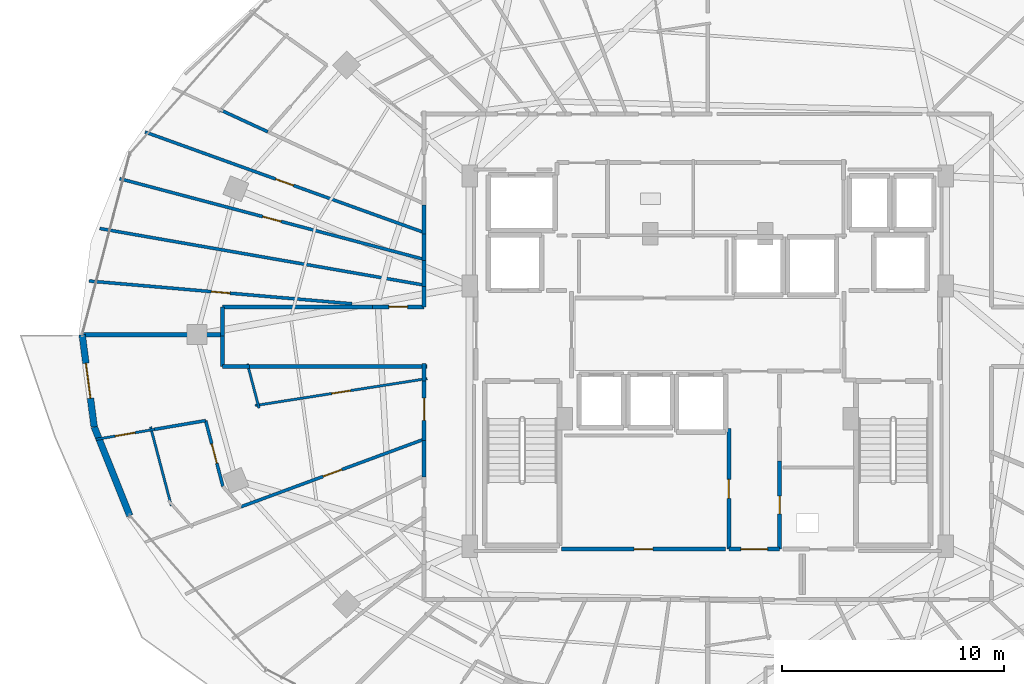
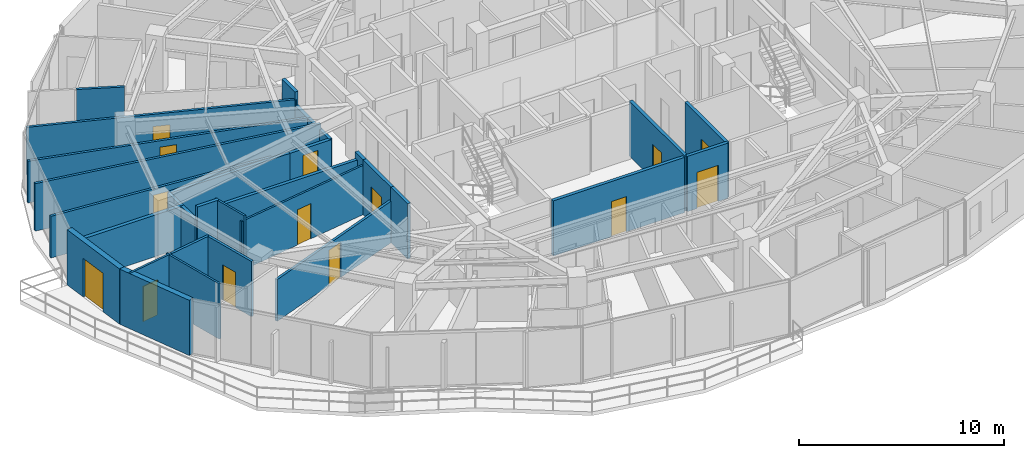
# One storey, part 24 of 32: 32 walls, 14 doors, 14 openings.
"""IFC4 building model written with IfcOpenShell, lengths in metres."""

from ifc_helpers import new_model, si_unit, direction, frame, frame_2d, origin, place, context, subcontext, project, spatial, rectangle, extrude, material, layer, layer_set, type_object, element, fill, save


model = new_model("IFC4")

# Units and contexts
model_context = context("Model", 3, precision=1e-05, world=origin(), true_north=direction((0.0, 1.0)))
body_context = subcontext(model_context, "Body", "Model", "MODEL_VIEW")
ifc_project = project(units=[si_unit("LENGTHUNIT", "METRE"), si_unit("AREAUNIT", "SQUARE_METRE"), si_unit("VOLUMEUNIT", "CUBIC_METRE"), si_unit("PLANEANGLEUNIT", "RADIAN"), si_unit("MASSUNIT", "GRAM", prefix="KILO")], contexts=[model_context])

# Site, building, storey
site_placement = place(None, origin())
site = spatial("IfcSite", under=ifc_project, at=site_placement, CompositionType="ELEMENT")
building_placement = place(site_placement, origin())
building = spatial("IfcBuilding", under=site, at=building_placement, Name="Vorneva Point Tower", CompositionType="ELEMENT")
storey_placement = place(building_placement, frame((0.0, 0.0, 207.199951171875)))
storey = spatial("IfcBuildingStorey", under=building, at=storey_placement, Name="L56", CompositionType="ELEMENT", Elevation=207.199951171875)

# Wall, opening, door
ifc_material_1 = material(Name="Precast concrete B50 (C40/50)", Category="concrete")
ifc_layer_1 = layer(ifc_material_1, 0.300048828125)
ifc_layer_set_1 = layer_set([ifc_layer_1], Name="Precast concrete B50 (C40/50)")
wall_type_1 = type_object("IfcWallType", Name="WL-EXT-300", PredefinedType="STANDARD", material=ifc_layer_set_1)
wall_1_placement = place(storey_placement, frame((9.77001953125, 26.0, 0.0), z_axis=(0.0, 0.0, 1.0), x_axis=(0.129147853268, -0.991625348605, 0.0)))
wall_1 = element("IfcWall", 1, at=wall_1_placement, inside=storey, type_object=wall_type_1, Name="L56 Pale-Metal Facade Spandrel Wall 09.1", PredefinedType="STANDARD", context=body_context, shape_type="SweptSolid", body=[
    extrude(rectangle(XDim=4.200439453125, YDim=0.300048828125, at=frame_2d((2.10009765625, 0.0))), origin(), (0.0, 0.0, 1.0), 3.2900390625),
])
opening_1_placement = place(wall_1_placement, frame((1.30029296875, 0.0, 0.0)))
opening_1 = element("IfcOpeningElement", 2, at=opening_1_placement, cuts=wall_1, Name="Opening BD-01", PredefinedType="OPENING", context=body_context, shape_type="SweptSolid", body=[
    extrude(rectangle(XDim=1.60009765625, YDim=2.300048828125, at=frame_2d((0.800048828125, 1.14990234375))), frame((0.0, 0.1650390625, 0.0), z_axis=(0.0, -1.0, 0.0), x_axis=(1.0, 0.0, 0.0)), (0.0, 0.0, 1.0), 0.329833984375),
])
ifc_material_2 = material(Name="Pale anodised aluminium", Category="aluminium")
door_type_1 = type_object("IfcDoorType", Name="DR-BAL-1600", OperationType="SLIDING_TO_LEFT", PredefinedType="DOOR", material=ifc_material_2)
door_1_placement = place(opening_1_placement, origin())
door_1 = element("IfcDoor", 3, at=door_1_placement, inside=storey, type_object=door_type_1, Name="L56 Balcony Terrace Access Door 09", OperationType="SLIDING_TO_LEFT", OverallHeight=2.300048828125, OverallWidth=1.60009765625, PredefinedType="DOOR", context=body_context, shape_type="SweptSolid", body=[
    extrude(rectangle(XDim=1.60009765625, YDim=2.300048828125, at=frame_2d((0.800048828125, 1.14990234375))), frame((0.0, 0.02490234375, 0.0), z_axis=(0.0, -1.0, 0.0), x_axis=(1.0, 0.0, 0.0)), (0.0, 0.0, 1.0), 0.050048828125),
])
fill(opening_1, door_1)

# Wall
wall_2_placement = place(storey_placement, frame((10.3125, 21.834716796875, 0.0), z_axis=(0.0, 0.0, 1.0), x_axis=(0.372268409848, -0.928125116043, 0.0)))
element("IfcWall", 4, at=wall_2_placement, inside=storey, type_object=wall_type_1, Name="L56 Pale-Metal Facade Spandrel Wall 09.2", PredefinedType="STANDARD", context=body_context, shape_type="SweptSolid", body=[
    extrude(rectangle(XDim=4.315185546875, YDim=0.300048828125, at=frame_2d((2.15771484375, 0.0))), origin(), (0.0, 0.0, 1.0), 3.2900390625),
])

# Wall, opening, door
ifc_material_3 = material(Name="Fire-rated acoustic gypsum stud partition", Category="gypsum")
ifc_layer_2 = layer(ifc_material_3, 0.110107421875)
ifc_layer_set_2 = layer_set([ifc_layer_2], Name="Fire-rated acoustic gypsum stud partition")
wall_type_2 = type_object("IfcWallType", Name="WL-PART-110", PredefinedType="PARTITIONING", material=ifc_layer_set_2)
wall_3_placement = place(storey_placement, frame((25.33837890625, 24.0146484375, 0.0), z_axis=(0.0, 0.0, 1.0), x_axis=(-0.987940229144, -0.154835731144, 0.0)))
wall_3 = element("IfcWall", 5, at=wall_3_placement, inside=storey, type_object=wall_type_2, Name="L56 Interior Partition 099", PredefinedType="PARTITIONING", context=body_context, shape_type="SweptSolid", body=[
    extrude(rectangle(XDim=7.85546875, YDim=0.110107421875, at=frame_2d((3.927734375, 0.0))), origin(), (0.0, 0.0, 1.0), 2.93603515625),
])
opening_2_placement = place(wall_3_placement, frame((3.502685546875, 0.0, 0.0)))
opening_2 = element("IfcOpeningElement", 6, at=opening_2_placement, cuts=wall_3, Name="Opening ID-02", PredefinedType="OPENING", context=body_context, shape_type="SweptSolid", body=[
    extrude(rectangle(XDim=0.85009765625, YDim=2.10009765625, at=frame_2d((0.425048828125, 1.050048828125))), frame((0.0, 0.06982421875, 0.0), z_axis=(0.0, -1.0, 0.0), x_axis=(1.0, 0.0, 0.0)), (0.0, 0.0, 1.0), 0.139892578125),
])
ifc_material_4 = material(Name="Engineered oak fire-rated door leaf", Category="wood")
door_type_2 = type_object("IfcDoorType", Name="DR-BATH-850", OperationType="NOTDEFINED", PredefinedType="DOOR", material=ifc_material_4)
door_2_placement = place(opening_2_placement, origin())
door_2 = element("IfcDoor", 7, at=door_2_placement, inside=storey, type_object=door_type_2, Name="L56 Door Living and Dining Room L56-03 / Bathroom L56-03", OperationType="SINGLE_SWING_LEFT", OverallHeight=2.10009765625, OverallWidth=0.85009765625, PredefinedType="DOOR", context=body_context, shape_type="SweptSolid", body=[
    extrude(rectangle(XDim=0.85009765625, YDim=2.10009765625, at=frame_2d((0.425048828125, 1.050048828125))), frame((0.0, 0.02490234375, 0.0), z_axis=(0.0, -1.0, 0.0), x_axis=(1.0, 0.0, 0.0)), (0.0, 0.0, 1.0), 0.050048828125),
])
fill(opening_2, door_2)

# Wall
wall_4_placement = place(storey_placement, frame((17.751708984375, 22.6845703125, 0.0), z_axis=(0.0, 0.0, 1.0), x_axis=(-0.254429402158, 0.967091350038, 0.0)))
element("IfcWall", 8, at=wall_4_placement, inside=storey, type_object=wall_type_2, Name="L56 Interior Partition 100", PredefinedType="PARTITIONING", context=body_context, shape_type="SweptSolid", body=[
    extrude(rectangle(XDim=2.06884765625, YDim=0.110107421875, at=frame_2d((1.034423828125, 0.0))), origin(), (0.0, 0.0, 1.0), 3.2900390625),
])

# Wall, opening, door
wall_5_placement = place(storey_placement, frame((10.39404296875, 21.271484375, 0.0), z_axis=(0.0, 0.0, 1.0), x_axis=(0.985656128296, 0.168766100722, 0.0)))
wall_5 = element("IfcWall", 9, at=wall_5_placement, inside=storey, type_object=wall_type_2, Name="L56 Interior Partition 101", PredefinedType="PARTITIONING", context=body_context, shape_type="SweptSolid", body=[
    extrude(rectangle(XDim=2.67333984375, YDim=0.110107421875, at=frame_2d((1.336669921875, 0.0))), origin(), (0.0, 0.0, 1.0), 3.2900390625),
])
opening_3_placement = place(wall_5_placement, frame((0.88671875, 0.0, 0.0)))
opening_3 = element("IfcOpeningElement", 10, at=opening_3_placement, cuts=wall_5, Name="Opening ID-01", PredefinedType="OPENING", context=body_context, shape_type="SweptSolid", body=[
    extrude(rectangle(XDim=0.89990234375, YDim=2.10009765625, at=frame_2d((0.449951171875, 1.050048828125))), frame((0.0, 0.06982421875, 0.0), z_axis=(0.0, -1.0, 0.0), x_axis=(1.0, 0.0, 0.0)), (0.0, 0.0, 1.0), 0.139892578125),
])
door_type_3 = type_object("IfcDoorType", Name="DR-ROOM-900", OperationType="NOTDEFINED", PredefinedType="DOOR", material=ifc_material_4)
door_3_placement = place(opening_3_placement, origin())
door_3 = element("IfcDoor", 11, at=door_3_placement, inside=storey, type_object=door_type_3, Name="L56 Door Living and Dining Room L56-03 / Kitchen L56-03", OperationType="SINGLE_SWING_RIGHT", OverallHeight=2.10009765625, OverallWidth=0.89990234375, PredefinedType="DOOR", context=body_context, shape_type="SweptSolid", body=[
    extrude(rectangle(XDim=0.89990234375, YDim=2.10009765625, at=frame_2d((0.449951171875, 1.050048828125))), frame((0.0, 0.02490234375, 0.0), z_axis=(0.0, -1.0, 0.0), x_axis=(1.0, 0.0, 0.0)), (0.0, 0.0, 1.0), 0.050048828125),
])
fill(opening_3, door_3)

# Walls
wall_6_placement = place(storey_placement, frame((13.79248046875, 18.2705078125, 0.0), z_axis=(0.0, 0.0, 1.0), x_axis=(-0.254271540361, 0.967132867688, 0.0)))
element("IfcWall", 12, at=wall_6_placement, inside=storey, type_object=wall_type_2, Name="L56 Interior Partition 107", PredefinedType="PARTITIONING", context=body_context, shape_type="SweptSolid", body=[
    extrude(rectangle(XDim=3.68505859375, YDim=0.110107421875, at=frame_2d((1.842529296875, 0.0))), origin(), (0.0, 0.0, 1.0), 3.2900390625),
])
ifc_layer_3 = layer(ifc_material_3, 0.139892578125)
ifc_layer_set_3 = layer_set([ifc_layer_3], Name="Fire-rated acoustic gypsum stud partition")
wall_type_3 = type_object("IfcWallType", Name="WL-PART-140", PredefinedType="PARTITIONING", material=ifc_layer_set_3)
wall_7_placement = place(storey_placement, frame((18.152099609375, 35.14990234375, 0.0), z_axis=(0.0, 0.0, 1.0), x_axis=(-0.908192094718, 0.418553603607, 0.0)))
element("IfcWall", 13, at=wall_7_placement, inside=storey, type_object=wall_type_3, Name="L56 Interior Partition 089", PredefinedType="PARTITIONING", context=body_context, shape_type="SweptSolid", body=[
    extrude(rectangle(XDim=2.363037109375, YDim=0.139892578125, at=frame_2d((1.181640625, 0.0))), origin(), (0.0, 0.0, 1.0), 3.2900390625),
])

# Wall, opening, door
wall_8_placement = place(storey_placement, frame((12.60888671875, 35.14111328125, 0.0), z_axis=(0.0, 0.0, 1.0), x_axis=(0.940877411069, -0.338747246985, 0.0)))
wall_8 = element("IfcWall", 14, at=wall_8_placement, inside=storey, type_object=wall_type_3, Name="L56 Interior Partition 094", PredefinedType="PARTITIONING", context=body_context, shape_type="SweptSolid", body=[
    extrude(rectangle(XDim=13.38232421875, YDim=0.139892578125, at=frame_2d((6.691162109375, 0.0))), origin(), (0.0, 0.0, 1.0), 2.823974609375),
])
opening_4_placement = place(wall_8_placement, frame((6.26611328125, 0.0, 0.0)))
opening_4 = element("IfcOpeningElement", 15, at=opening_4_placement, cuts=wall_8, Name="Opening ID-02", PredefinedType="OPENING", context=body_context, shape_type="SweptSolid", body=[
    extrude(rectangle(XDim=0.85009765625, YDim=2.10009765625, at=frame_2d((0.425048828125, 1.050048828125))), frame((0.0, 0.0849609375, 0.0), z_axis=(0.0, -1.0, 0.0), x_axis=(1.0, 0.0, 0.0)), (0.0, 0.0, 1.0), 0.169677734375),
])
door_4_placement = place(opening_4_placement, origin())
door_4 = element("IfcDoor", 16, at=door_4_placement, inside=storey, type_object=door_type_2, Name="L56 Access Door Master Bedroom L56-02.1", OperationType="SINGLE_SWING_LEFT", OverallHeight=2.10009765625, OverallWidth=0.85009765625, PredefinedType="DOOR", context=body_context, shape_type="SweptSolid", body=[
    extrude(rectangle(XDim=0.85009765625, YDim=2.10009765625, at=frame_2d((0.425048828125, 1.050048828125))), frame((0.0, 0.02490234375, 0.0), z_axis=(0.0, -1.0, 0.0), x_axis=(1.0, 0.0, 0.0)), (0.0, 0.0, 1.0), 0.050048828125),
])
fill(opening_4, door_4)

wall_9_placement = place(storey_placement, frame((11.465087890625, 33.035888671875, 0.0), z_axis=(0.0, 0.0, 1.0), x_axis=(0.966598137313, -0.256296782934, 0.0)))
wall_9 = element("IfcWall", 17, at=wall_9_placement, inside=storey, type_object=wall_type_3, Name="L56 Interior Partition 095", PredefinedType="PARTITIONING", context=body_context, shape_type="SweptSolid", body=[
    extrude(rectangle(XDim=14.20947265625, YDim=0.139892578125, at=frame_2d((7.104736328125, 0.0))), origin(), (0.0, 0.0, 1.0), 2.48193359375),
])
opening_5_placement = place(wall_9_placement, frame((6.6796875, 0.0, 0.0)))
opening_5 = element("IfcOpeningElement", 18, at=opening_5_placement, cuts=wall_9, Name="Opening ID-02", PredefinedType="OPENING", context=body_context, shape_type="SweptSolid", body=[
    extrude(rectangle(XDim=0.85009765625, YDim=2.10009765625, at=frame_2d((0.425048828125, 1.050048828125))), frame((0.0, 0.0849609375, 0.0), z_axis=(0.0, -1.0, 0.0), x_axis=(1.0, 0.0, 0.0)), (0.0, 0.0, 1.0), 0.169677734375),
])
door_5_placement = place(opening_5_placement, origin())
door_5 = element("IfcDoor", 19, at=door_5_placement, inside=storey, type_object=door_type_2, Name="L56 Access Door Bedroom L56-02.2", OperationType="SINGLE_SWING_RIGHT", OverallHeight=2.10009765625, OverallWidth=0.85009765625, PredefinedType="DOOR", context=body_context, shape_type="SweptSolid", body=[
    extrude(rectangle(XDim=0.85009765625, YDim=2.10009765625, at=frame_2d((0.425048828125, 1.050048828125))), frame((0.0, 0.02490234375, 0.0), z_axis=(0.0, -1.0, 0.0), x_axis=(1.0, 0.0, 0.0)), (0.0, 0.0, 1.0), 0.050048828125),
])
fill(opening_5, door_5)

# Wall
wall_10_placement = place(storey_placement, frame((10.56494140625, 30.7880859375, 0.0), z_axis=(0.0, 0.0, 1.0), x_axis=(0.985109541297, -0.171927867563, 0.0)))
element("IfcWall", 20, at=wall_10_placement, inside=storey, type_object=wall_type_3, Name="L56 Interior Partition 096", PredefinedType="PARTITIONING", context=body_context, shape_type="SweptSolid", body=[
    extrude(rectangle(XDim=14.856201171875, YDim=0.139892578125, at=frame_2d((7.42822265625, 0.0))), origin(), (0.0, 0.0, 1.0), 2.823974609375),
])

# Wall, opening, door
wall_11_placement = place(storey_placement, frame((10.0859375, 28.41796875, 0.0), z_axis=(0.0, 0.0, 1.0), x_axis=(0.996267232338, -0.08632266081, 0.0)))
wall_11 = element("IfcWall", 21, at=wall_11_placement, inside=storey, type_object=wall_type_3, Name="L56 Interior Partition 097", PredefinedType="PARTITIONING", context=body_context, shape_type="SweptSolid", body=[
    extrude(rectangle(XDim=11.90966796875, YDim=0.139892578125, at=frame_2d((5.954833984375, 0.0))), origin(), (0.0, 0.0, 1.0), 2.48193359375),
])
opening_6_placement = place(wall_11_placement, frame((5.52978515625, 0.0, 0.0)))
opening_6 = element("IfcOpeningElement", 22, at=opening_6_placement, cuts=wall_11, Name="Opening ID-02", PredefinedType="OPENING", context=body_context, shape_type="SweptSolid", body=[
    extrude(rectangle(XDim=0.85009765625, YDim=2.10009765625, at=frame_2d((0.425048828125, 1.050048828125))), frame((0.0, 0.0849609375, 0.0), z_axis=(0.0, -1.0, 0.0), x_axis=(1.0, 0.0, 0.0)), (0.0, 0.0, 1.0), 0.169677734375),
])
door_6_placement = place(opening_6_placement, origin())
door_6 = element("IfcDoor", 23, at=door_6_placement, inside=storey, type_object=door_type_2, Name="L56 Access Door Bedroom L56-02.4", OperationType="SINGLE_SWING_LEFT", OverallHeight=2.10009765625, OverallWidth=0.85009765625, PredefinedType="DOOR", context=body_context, shape_type="SweptSolid", body=[
    extrude(rectangle(XDim=0.85009765625, YDim=2.10009765625, at=frame_2d((0.425048828125, 1.050048828125))), frame((0.0, 0.02490234375, 0.0), z_axis=(0.0, -1.0, 0.0), x_axis=(1.0, 0.0, 0.0)), (0.0, 0.0, 1.0), 0.050048828125),
])
fill(opening_6, door_6)

wall_12_placement = place(storey_placement, frame((15.341064453125, 22.118896484375, 0.0), z_axis=(0.0, 0.0, 1.0), x_axis=(0.254462015144, -0.967082769389, 0.0)))
wall_12 = element("IfcWall", 24, at=wall_12_placement, inside=storey, type_object=wall_type_3, Name="L56 Interior Partition 102", PredefinedType="PARTITIONING", context=body_context, shape_type="SweptSolid", body=[
    extrude(rectangle(XDim=3.072998046875, YDim=0.139892578125, at=frame_2d((1.53662109375, 0.0))), origin(), (0.0, 0.0, 1.0), 3.2900390625),
])
opening_7_placement = place(wall_12_placement, frame((1.086669921875, 0.0, 0.0)))
opening_7 = element("IfcOpeningElement", 25, at=opening_7_placement, cuts=wall_12, Name="Opening ID-01", PredefinedType="OPENING", context=body_context, shape_type="SweptSolid", body=[
    extrude(rectangle(XDim=0.89990234375, YDim=2.10009765625, at=frame_2d((0.449951171875, 1.050048828125))), frame((0.0, 0.0849609375, 0.0), z_axis=(0.0, -1.0, 0.0), x_axis=(1.0, 0.0, 0.0)), (0.0, 0.0, 1.0), 0.169677734375),
])
door_7_placement = place(opening_7_placement, origin())
door_7 = element("IfcDoor", 26, at=door_7_placement, inside=storey, type_object=door_type_3, Name="L56 Door Living and Dining Room L56-03 / Study Room L56-03", OperationType="SINGLE_SWING_LEFT", OverallHeight=2.10009765625, OverallWidth=0.89990234375, PredefinedType="DOOR", context=body_context, shape_type="SweptSolid", body=[
    extrude(rectangle(XDim=0.89990234375, YDim=2.10009765625, at=frame_2d((0.449951171875, 1.050048828125))), frame((0.0, 0.02490234375, 0.0), z_axis=(0.0, -1.0, 0.0), x_axis=(1.0, 0.0, 0.0)), (0.0, 0.0, 1.0), 0.050048828125),
])
fill(opening_7, door_7)

# Wall
wall_13_placement = place(storey_placement, frame((13.029052734375, 21.72265625, 0.0), z_axis=(0.0, 0.0, 1.0), x_axis=(0.985629682191, 0.16892048302, 0.0)))
element("IfcWall", 27, at=wall_13_placement, inside=storey, type_object=wall_type_3, Name="L56 Interior Partition 104", PredefinedType="PARTITIONING", context=body_context, shape_type="SweptSolid", body=[
    extrude(rectangle(XDim=2.345703125, YDim=0.139892578125, at=frame_2d((1.1728515625, 0.0))), origin(), (0.0, 0.0, 1.0), 3.2900390625),
])

# Wall, opening, door
wall_14_placement = place(storey_placement, frame((16.93408203125, 18.22802734375, 0.0), z_axis=(0.0, 0.0, 1.0), x_axis=(0.938168899516, 0.34617786755, 0.0)))
wall_14 = element("IfcWall", 28, at=wall_14_placement, inside=storey, type_object=wall_type_3, Name="L56 Interior Partition 105", PredefinedType="PARTITIONING", context=body_context, shape_type="SweptSolid", body=[
    extrude(rectangle(XDim=8.810546875, YDim=0.139892578125, at=frame_2d((4.4052734375, 0.0))), origin(), (0.0, 0.0, 1.0), 2.48193359375),
])
opening_8_placement = place(wall_14_placement, frame((3.955322265625, 0.0, 0.0)))
opening_8 = element("IfcOpeningElement", 29, at=opening_8_placement, cuts=wall_14, Name="Opening ID-01", PredefinedType="OPENING", context=body_context, shape_type="SweptSolid", body=[
    extrude(rectangle(XDim=0.89990234375, YDim=2.10009765625, at=frame_2d((0.449951171875, 1.050048828125))), frame((0.0, 0.0849609375, 0.0), z_axis=(0.0, -1.0, 0.0), x_axis=(1.0, 0.0, 0.0)), (0.0, 0.0, 1.0), 0.169677734375),
])
door_8_placement = place(opening_8_placement, origin())
door_8 = element("IfcDoor", 30, at=door_8_placement, inside=storey, type_object=door_type_3, Name="L56 Door Living and Dining Room L56-03 / Master Bedroom L56-03.1", OperationType="SINGLE_SWING_RIGHT", OverallHeight=2.10009765625, OverallWidth=0.89990234375, PredefinedType="DOOR", context=body_context, shape_type="SweptSolid", body=[
    extrude(rectangle(XDim=0.89990234375, YDim=2.10009765625, at=frame_2d((0.449951171875, 1.050048828125))), frame((0.0, 0.02490234375, 0.0), z_axis=(0.0, -1.0, 0.0), x_axis=(1.0, 0.0, 0.0)), (0.0, 0.0, 1.0), 0.050048828125),
])
fill(opening_8, door_8)

ifc_material_5 = material(Name="Autoclaved aerated concrete blockwork", Category="masonry")
ifc_layer_4 = layer(ifc_material_5, 0.179931640625)
ifc_layer_set_4 = layer_set([ifc_layer_4], Name="Autoclaved aerated concrete blockwork")
wall_type_4 = type_object("IfcWallType", Name="WL-PART-180", PredefinedType="PARTITIONING", material=ifc_layer_set_4)
wall_15_placement = place(storey_placement, frame((41.25, 16.320068359375, 0.0), z_axis=(0.0, 0.0, 1.0), x_axis=(0.0, 1.0, 0.0)))
wall_15 = element("IfcWall", 31, at=wall_15_placement, inside=storey, type_object=wall_type_4, Name="L56 Interior Partition 013", PredefinedType="PARTITIONING", context=body_context, shape_type="SweptSolid", body=[
    extrude(rectangle(XDim=3.98486328125, YDim=0.179931640625, at=frame_2d((1.992431640625, 0.0))), origin(), (0.0, 0.0, 1.0), 3.2900390625),
])
opening_9_placement = place(wall_15_placement, frame((1.592529296875, 0.0, 0.0)))
opening_9 = element("IfcOpeningElement", 32, at=opening_9_placement, cuts=wall_15, Name="Opening RD-01", PredefinedType="OPENING", context=body_context, shape_type="SweptSolid", body=[
    extrude(rectangle(XDim=0.800048828125, YDim=2.050048828125, at=frame_2d((0.39990234375, 1.02490234375))), frame((0.0, 0.10498046875, 0.0), z_axis=(0.0, -1.0, 0.0), x_axis=(1.0, 0.0, 0.0)), (0.0, 0.0, 1.0), 0.209716796875),
])
ifc_material_6 = material(Name="Fire-rated powder-coated steel", Category="steel")
door_type_4 = type_object("IfcDoorType", Name="DR-RSR-800", OperationType="SINGLE_SWING_LEFT", PredefinedType="DOOR", material=ifc_material_6)
door_9_placement = place(opening_9_placement, origin())
door_9 = element("IfcDoor", 33, at=door_9_placement, inside=storey, type_object=door_type_4, Name="L56 Door Core Service Lobby / Electrical Riser", OperationType="SINGLE_SWING_RIGHT", OverallHeight=2.050048828125, OverallWidth=0.800048828125, PredefinedType="DOOR", context=body_context, shape_type="SweptSolid", body=[
    extrude(rectangle(XDim=0.800048828125, YDim=2.050048828125, at=frame_2d((0.39990234375, 1.02490234375))), frame((0.0, 0.02490234375, 0.0), z_axis=(0.0, -1.0, 0.0), x_axis=(1.0, 0.0, 0.0)), (0.0, 0.0, 1.0), 0.050048828125),
])
fill(opening_9, door_9)

wall_16_placement = place(storey_placement, frame((38.949951171875, 21.7548828125, 0.0), z_axis=(0.0, 0.0, 1.0), x_axis=(0.0, -1.0, 0.0)))
wall_16 = element("IfcWall", 34, at=wall_16_placement, inside=storey, type_object=wall_type_4, Name="L56 Interior Partition 015", PredefinedType="PARTITIONING", context=body_context, shape_type="SweptSolid", body=[
    extrude(rectangle(XDim=5.434814453125, YDim=0.179931640625, at=frame_2d((2.71728515625, 0.0))), origin(), (0.0, 0.0, 1.0), 3.2900390625),
])
opening_10_placement = place(wall_16_placement, frame((2.29248046875, 0.0, 0.0)))
opening_10 = element("IfcOpeningElement", 35, at=opening_10_placement, cuts=wall_16, Name="Opening ID-02", PredefinedType="OPENING", context=body_context, shape_type="SweptSolid", body=[
    extrude(rectangle(XDim=0.85009765625, YDim=2.10009765625, at=frame_2d((0.425048828125, 1.050048828125))), frame((0.0, 0.10498046875, 0.0), z_axis=(0.0, -1.0, 0.0), x_axis=(1.0, 0.0, 0.0)), (0.0, 0.0, 1.0), 0.209716796875),
])
door_10_placement = place(opening_10_placement, origin())
door_10 = element("IfcDoor", 36, at=door_10_placement, inside=storey, type_object=door_type_2, Name="L56 Door Core Service Lobby / Floor Storage Room", OperationType="SINGLE_SWING_RIGHT", OverallHeight=2.10009765625, OverallWidth=0.85009765625, PredefinedType="DOOR", context=body_context, shape_type="SweptSolid", body=[
    extrude(rectangle(XDim=0.85009765625, YDim=2.10009765625, at=frame_2d((0.425048828125, 1.050048828125))), frame((0.0, 0.02490234375, 0.0), z_axis=(0.0, -1.0, 0.0), x_axis=(1.0, 0.0, 0.0)), (0.0, 0.0, 1.0), 0.050048828125),
])
fill(opening_10, door_10)

wall_17_placement = place(storey_placement, frame((38.949951171875, 16.320068359375, 0.0), z_axis=(0.0, 0.0, 1.0), x_axis=(1.0, 0.0, 0.0)))
wall_17 = element("IfcWall", 37, at=wall_17_placement, inside=storey, type_object=wall_type_4, Name="L56 Interior Partition 016", PredefinedType="PARTITIONING", context=body_context, shape_type="SweptSolid", body=[
    extrude(rectangle(XDim=2.300048828125, YDim=0.179931640625, at=frame_2d((1.14990234375, 0.0))), origin(), (0.0, 0.0, 1.0), 3.2900390625),
])
opening_11_placement = place(wall_17_placement, frame((0.550048828125, 0.0, 0.0)))
opening_11 = element("IfcOpeningElement", 38, at=opening_11_placement, cuts=wall_17, Name="Opening FD-02", PredefinedType="OPENING", context=body_context, shape_type="SweptSolid", body=[
    extrude(rectangle(XDim=1.199951171875, YDim=2.14990234375, at=frame_2d((0.60009765625, 1.074951171875))), frame((0.0, 0.10498046875, 0.0), z_axis=(0.0, -1.0, 0.0), x_axis=(1.0, 0.0, 0.0)), (0.0, 0.0, 1.0), 0.209716796875),
])
door_type_5 = type_object("IfcDoorType", Name="DR-FFL-1200", OperationType="NOTDEFINED", PredefinedType="DOOR", material=ifc_material_6)
door_11_placement = place(opening_11_placement, origin())
door_11 = element("IfcDoor", 39, at=door_11_placement, inside=storey, type_object=door_type_5, Name="L56 Door Core Service Lobby / L56 Circulation Corridor", OperationType="SINGLE_SWING_LEFT", OverallHeight=2.14990234375, OverallWidth=1.199951171875, PredefinedType="DOOR", context=body_context, shape_type="SweptSolid", body=[
    extrude(rectangle(XDim=1.199951171875, YDim=2.14990234375, at=frame_2d((0.60009765625, 1.074951171875))), frame((0.0, 0.02490234375, 0.0), z_axis=(0.0, -1.0, 0.0), x_axis=(1.0, 0.0, 0.0)), (0.0, 0.0, 1.0), 0.050048828125),
])
fill(opening_11, door_11)

wall_18_placement = place(storey_placement, frame((31.39990234375, 16.320068359375, 0.0), z_axis=(0.0, 0.0, 1.0), x_axis=(1.0, 0.0, 0.0)))
wall_18 = element("IfcWall", 40, at=wall_18_placement, inside=storey, type_object=wall_type_4, Name="L56 Interior Partition 025", PredefinedType="PARTITIONING", context=body_context, shape_type="SweptSolid", body=[
    extrude(rectangle(XDim=7.400146484375, YDim=0.179931640625, at=frame_2d((3.7001953125, 0.0))), origin(), (0.0, 0.0, 1.0), 3.2900390625),
])
opening_12_placement = place(wall_18_placement, frame((3.27490234375, 0.0, 0.0)))
opening_12 = element("IfcOpeningElement", 41, at=opening_12_placement, cuts=wall_18, Name="Opening ID-02", PredefinedType="OPENING", context=body_context, shape_type="SweptSolid", body=[
    extrude(rectangle(XDim=0.85009765625, YDim=2.10009765625, at=frame_2d((0.425048828125, 1.050048828125))), frame((0.0, 0.10498046875, 0.0), z_axis=(0.0, -1.0, 0.0), x_axis=(1.0, 0.0, 0.0)), (0.0, 0.0, 1.0), 0.209716796875),
])
door_12_placement = place(opening_12_placement, origin())
door_12 = element("IfcDoor", 42, at=door_12_placement, inside=storey, type_object=door_type_2, Name="L56 Door Floor Storage Room / L56 Circulation Corridor", OperationType="SINGLE_SWING_LEFT", OverallHeight=2.10009765625, OverallWidth=0.85009765625, PredefinedType="DOOR", context=body_context, shape_type="SweptSolid", body=[
    extrude(rectangle(XDim=0.85009765625, YDim=2.10009765625, at=frame_2d((0.425048828125, 1.050048828125))), frame((0.0, 0.02490234375, 0.0), z_axis=(0.0, -1.0, 0.0), x_axis=(1.0, 0.0, 0.0)), (0.0, 0.0, 1.0), 0.050048828125),
])
fill(opening_12, door_12)

# Walls
wall_19_placement = place(storey_placement, frame((25.199951171875, 31.841064453125, 0.0), z_axis=(0.0, 0.0, 1.0), x_axis=(0.0, -1.0, 0.0)))
element("IfcWall", 43, at=wall_19_placement, inside=storey, type_object=wall_type_4, Name="L56 Interior Partition 035", PredefinedType="PARTITIONING", context=body_context, shape_type="SweptSolid", body=[
    extrude(rectangle(XDim=1.29296875, YDim=0.179931640625, at=frame_2d((0.646484375, 0.0))), origin(), (0.0, 0.0, 1.0), 3.2900390625),
])
wall_20_placement = place(storey_placement, frame((25.199951171875, 30.548095703125, 0.0), z_axis=(0.0, 0.0, 1.0), x_axis=(0.0, -1.0, 0.0)))
element("IfcWall", 44, at=wall_20_placement, inside=storey, type_object=wall_type_4, Name="L56 Interior Partition 036", PredefinedType="PARTITIONING", context=body_context, shape_type="SweptSolid", body=[
    extrude(rectangle(XDim=1.214111328125, YDim=0.179931640625, at=frame_2d((0.60693359375, 0.0))), origin(), (0.0, 0.0, 1.0), 2.48193359375),
])
wall_21_placement = place(storey_placement, frame((25.199951171875, 29.333984375, 0.0), z_axis=(0.0, 0.0, 1.0), x_axis=(0.0, -1.0, 0.0)))
element("IfcWall", 45, at=wall_21_placement, inside=storey, type_object=wall_type_4, Name="L56 Interior Partition 037", PredefinedType="PARTITIONING", context=body_context, shape_type="SweptSolid", body=[
    extrude(rectangle(XDim=1.159912109375, YDim=0.179931640625, at=frame_2d((0.580078125, 0.0))), origin(), (0.0, 0.0, 1.0), 2.48193359375),
])
wall_22_placement = place(storey_placement, frame((25.199951171875, 28.174072265625, 0.0), z_axis=(0.0, 0.0, 1.0), x_axis=(0.0, -1.0, 0.0)))
element("IfcWall", 46, at=wall_22_placement, inside=storey, type_object=wall_type_4, Name="L56 Interior Partition 038", PredefinedType="PARTITIONING", context=body_context, shape_type="SweptSolid", body=[
    extrude(rectangle(XDim=0.924072265625, YDim=0.179931640625, at=frame_2d((0.4619140625, 0.0))), origin(), (0.0, 0.0, 1.0), 2.48193359375),
])

# Wall, opening, door
wall_23_placement = place(storey_placement, frame((25.199951171875, 27.25, 0.0), z_axis=(0.0, 0.0, 1.0), x_axis=(-1.0, 0.0, 0.0)))
wall_23 = element("IfcWall", 47, at=wall_23_placement, inside=storey, type_object=wall_type_4, Name="L56 Interior Partition 039", PredefinedType="PARTITIONING", context=body_context, shape_type="SweptSolid", body=[
    extrude(rectangle(XDim=2.327880859375, YDim=0.179931640625, at=frame_2d((1.1640625, 0.0))), origin(), (0.0, 0.0, 1.0), 2.48193359375),
])
opening_13_placement = place(wall_23_placement, frame((0.739013671875, 0.0, 0.0)))
opening_13 = element("IfcOpeningElement", 48, at=opening_13_placement, cuts=wall_23, Name="Opening ID-02", PredefinedType="OPENING", context=body_context, shape_type="SweptSolid", body=[
    extrude(rectangle(XDim=0.85009765625, YDim=2.10009765625, at=frame_2d((0.425048828125, 1.050048828125))), frame((0.0, 0.10498046875, 0.0), z_axis=(0.0, -1.0, 0.0), x_axis=(1.0, 0.0, 0.0)), (0.0, 0.0, 1.0), 0.209716796875),
])
door_13_placement = place(opening_13_placement, origin())
door_13 = element("IfcDoor", 49, at=door_13_placement, inside=storey, type_object=door_type_2, Name="L56 Access Door L56 Circulation Corridor", OperationType="SINGLE_SWING_LEFT", OverallHeight=2.10009765625, OverallWidth=0.85009765625, PredefinedType="DOOR", context=body_context, shape_type="SweptSolid", body=[
    extrude(rectangle(XDim=0.85009765625, YDim=2.10009765625, at=frame_2d((0.425048828125, 1.050048828125))), frame((0.0, 0.02490234375, 0.0), z_axis=(0.0, -1.0, 0.0), x_axis=(1.0, 0.0, 0.0)), (0.0, 0.0, 1.0), 0.050048828125),
])
fill(opening_13, door_13)

# Walls
wall_24_placement = place(storey_placement, frame((16.10009765625, 27.25, 0.0), z_axis=(0.0, 0.0, 1.0), x_axis=(0.0, -1.0, 0.0)))
element("IfcWall", 50, at=wall_24_placement, inside=storey, type_object=wall_type_4, Name="L56 Interior Partition 040", PredefinedType="PARTITIONING", context=body_context, shape_type="SweptSolid", body=[
    extrude(rectangle(XDim=1.31005859375, YDim=0.179931640625, at=frame_2d((0.655029296875, 0.0))), origin(), (0.0, 0.0, 1.0), 2.48193359375),
])
wall_25_placement = place(storey_placement, frame((22.8720703125, 27.25, 0.0), z_axis=(0.0, 0.0, 1.0), x_axis=(-1.0, 0.0, 0.0)))
element("IfcWall", 51, at=wall_25_placement, inside=storey, type_object=wall_type_4, Name="L56 Interior Partition 041", PredefinedType="PARTITIONING", context=body_context, shape_type="SweptSolid", body=[
    extrude(rectangle(XDim=6.77197265625, YDim=0.179931640625, at=frame_2d((3.385986328125, 0.0))), origin(), (0.0, 0.0, 1.0), 2.48193359375),
])
wall_26_placement = place(storey_placement, frame((16.10009765625, 25.93994140625, 0.0), z_axis=(0.0, 0.0, 1.0), x_axis=(0.0, -1.0, 0.0)))
element("IfcWall", 52, at=wall_26_placement, inside=storey, type_object=wall_type_4, Name="L56 Interior Partition 042", PredefinedType="PARTITIONING", context=body_context, shape_type="SweptSolid", body=[
    extrude(rectangle(XDim=1.389892578125, YDim=0.179931640625, at=frame_2d((0.69482421875, 0.0))), origin(), (0.0, 0.0, 1.0), 2.48193359375),
])
wall_27_placement = place(storey_placement, frame((16.10009765625, 24.550048828125, 0.0), z_axis=(0.0, 0.0, 1.0), x_axis=(1.0, 0.0, 0.0)))
element("IfcWall", 53, at=wall_27_placement, inside=storey, type_object=wall_type_4, Name="L56 Interior Partition 043", PredefinedType="PARTITIONING", context=body_context, shape_type="SweptSolid", body=[
    extrude(rectangle(XDim=1.222900390625, YDim=0.179931640625, at=frame_2d((0.611328125, 0.0))), origin(), (0.0, 0.0, 1.0), 3.2900390625),
])

# Wall, opening, door
wall_28_placement = place(storey_placement, frame((25.199951171875, 24.052978515625, 0.0), z_axis=(0.0, 0.0, 1.0), x_axis=(0.0, -1.0, 0.0)))
wall_28 = element("IfcWall", 54, at=wall_28_placement, inside=storey, type_object=wall_type_4, Name="L56 Interior Partition 044", PredefinedType="PARTITIONING", context=body_context, shape_type="SweptSolid", body=[
    extrude(rectangle(XDim=2.8388671875, YDim=0.179931640625, at=frame_2d((1.41943359375, 0.0))), origin(), (0.0, 0.0, 1.0), 3.2900390625),
])
opening_14_placement = place(wall_28_placement, frame((0.91943359375, 0.0, 0.0)))
opening_14 = element("IfcOpeningElement", 55, at=opening_14_placement, cuts=wall_28, Name="Opening UD-01", PredefinedType="OPENING", context=body_context, shape_type="SweptSolid", body=[
    extrude(rectangle(XDim=1.0, YDim=2.14990234375, at=frame_2d((0.5, 1.074951171875))), frame((0.0, 0.10498046875, 0.0), z_axis=(0.0, -1.0, 0.0), x_axis=(1.0, 0.0, 0.0)), (0.0, 0.0, 1.0), 0.209716796875),
])
door_type_6 = type_object("IfcDoorType", Name="DR-UNIT-1000", OperationType="NOTDEFINED", PredefinedType="DOOR", material=ifc_material_4)
door_14_placement = place(opening_14_placement, origin())
door_14 = element("IfcDoor", 56, at=door_14_placement, inside=storey, type_object=door_type_6, Name="L56 Door L56 Circulation Corridor / Living and Dining Room L56-03", OperationType="SINGLE_SWING_RIGHT", OverallHeight=2.14990234375, OverallWidth=1.0, PredefinedType="DOOR", context=body_context, shape_type="SweptSolid", body=[
    extrude(rectangle(XDim=1.0, YDim=2.14990234375, at=frame_2d((0.5, 1.074951171875))), frame((0.0, 0.02490234375, 0.0), z_axis=(0.0, -1.0, 0.0), x_axis=(1.0, 0.0, 0.0)), (0.0, 0.0, 1.0), 0.050048828125),
])
fill(opening_14, door_14)

# Walls
wall_29_placement = place(storey_placement, frame((17.18310546875, 24.550048828125, 0.0), z_axis=(0.0, 0.0, 1.0), x_axis=(1.0, 0.0, 0.0)))
element("IfcWall", 57, at=wall_29_placement, inside=storey, type_object=wall_type_4, Name="L56 Interior Partition 045", PredefinedType="PARTITIONING", context=body_context, shape_type="SweptSolid", body=[
    extrude(rectangle(XDim=8.156982421875, YDim=0.179931640625, at=frame_2d((4.07861328125, 0.0))), origin(), (0.0, 0.0, 1.0), 2.93603515625),
])
wall_30_placement = place(storey_placement, frame((25.199951171875, 24.68994140625, 0.0), z_axis=(0.0, 0.0, 1.0), x_axis=(0.0, -1.0, 0.0)))
element("IfcWall", 58, at=wall_30_placement, inside=storey, type_object=wall_type_4, Name="L56 Interior Partition 046", PredefinedType="PARTITIONING", context=body_context, shape_type="SweptSolid", body=[
    extrude(rectangle(XDim=0.77685546875, YDim=0.179931640625, at=frame_2d((0.388427734375, 0.0))), origin(), (0.0, 0.0, 1.0), 3.2900390625),
])
wall_31_placement = place(storey_placement, frame((25.199951171875, 21.214111328125, 0.0), z_axis=(0.0, 0.0, 1.0), x_axis=(0.0, -1.0, 0.0)))
element("IfcWall", 59, at=wall_31_placement, inside=storey, type_object=wall_type_4, Name="L56 Interior Partition 047", PredefinedType="PARTITIONING", context=body_context, shape_type="SweptSolid", body=[
    extrude(rectangle(XDim=1.64501953125, YDim=0.179931640625, at=frame_2d((0.822509765625, 0.0))), origin(), (0.0, 0.0, 1.0), 3.2900390625),
])
ifc_layer_5 = layer(ifc_material_5, 0.199951171875)
ifc_layer_set_5 = layer_set([ifc_layer_5], Name="Autoclaved aerated concrete blockwork")
wall_type_5 = type_object("IfcWallType", Name="WL-PART-200", PredefinedType="PARTITIONING", material=ifc_layer_set_5)
wall_32_placement = place(storey_placement, frame((9.77099609375, 26.0, 0.0), z_axis=(0.0, 0.0, 1.0), x_axis=(1.0, 0.0, 0.0)))
element("IfcWall", 60, at=wall_32_placement, inside=storey, type_object=wall_type_5, Name="L56 Interior Partition 098", PredefinedType="PARTITIONING", context=body_context, shape_type="SweptSolid", body=[
    extrude(rectangle(XDim=6.3291015625, YDim=0.199951171875, at=frame_2d((3.16455078125, 0.0))), origin(), (0.0, 0.0, 1.0), 2.48193359375),
])

save(model, "model.ifc")
